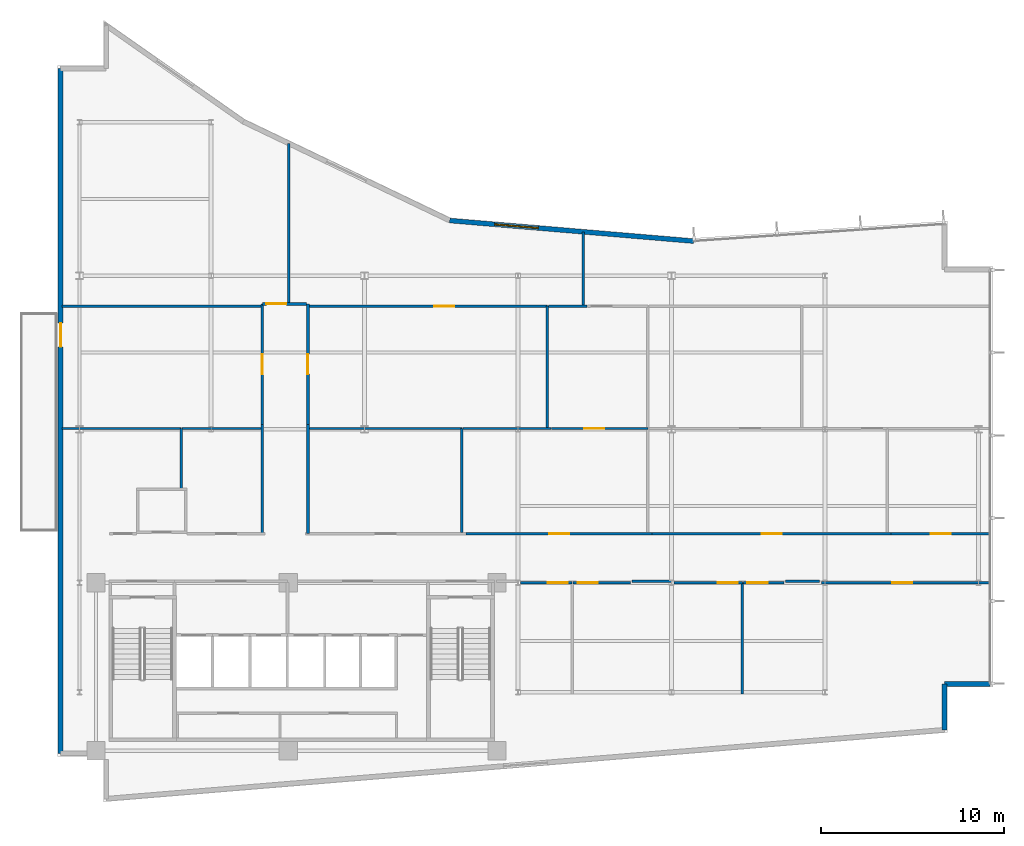
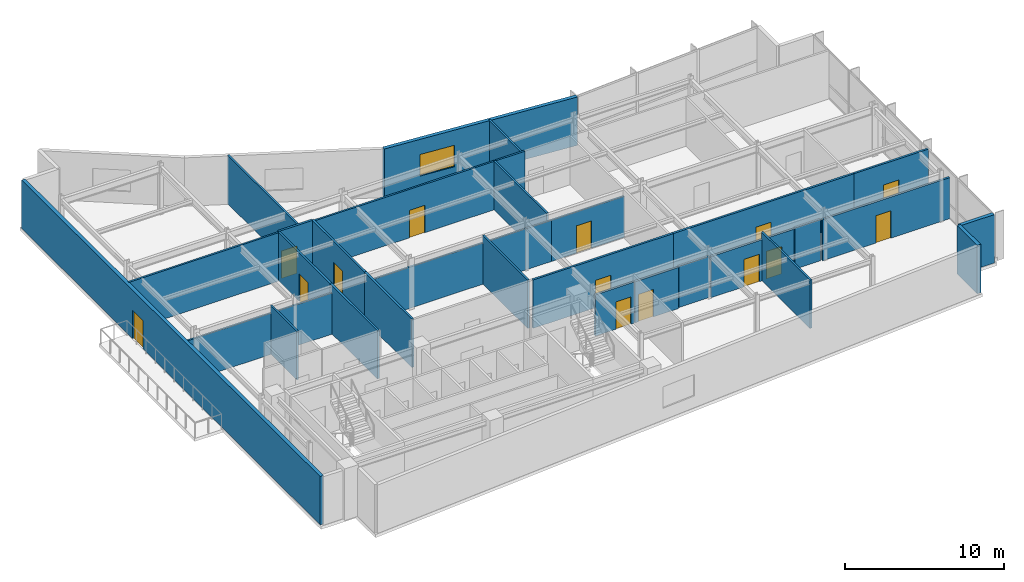
# One storey, part 11 of 15: 33 walls, 14 doors, 1 window, 15 openings.
"""IFC4 building model written with IfcOpenShell, lengths in metres."""

from ifc_helpers import new_model, si_unit, direction, frame, frame_2d, origin, place, context, subcontext, project, spatial, rectangle, extrude, material, layer, layer_set, type_object, element, fill, save


model = new_model("IFC4")

# Units and contexts
model_context = context("Model", 3, precision=1e-05, world=origin(), true_north=direction((0.0, 1.0)))
body_context = subcontext(model_context, "Body", "Model", "MODEL_VIEW")
ifc_project = project(units=[si_unit("LENGTHUNIT", "METRE"), si_unit("AREAUNIT", "SQUARE_METRE"), si_unit("VOLUMEUNIT", "CUBIC_METRE"), si_unit("PLANEANGLEUNIT", "RADIAN"), si_unit("MASSUNIT", "GRAM", prefix="KILO")], contexts=[model_context])

# Site, building, storey
site_placement = place(None, origin())
site = spatial("IfcSite", under=ifc_project, at=site_placement, CompositionType="ELEMENT")
building_placement = place(site_placement, origin())
building = spatial("IfcBuilding", under=site, at=building_placement, Name="Varnakote Quay Hospital", CompositionType="ELEMENT")
storey_placement = place(building_placement, frame((0.0, 0.0, 207.89990234375)))
storey = spatial("IfcBuildingStorey", under=building, at=storey_placement, Name="L51", CompositionType="ELEMENT", Elevation=207.89990234375)

# Walls
ifc_material_1 = material(Name="Fire-rated acoustic gypsum stud wall", Category="gypsum")
ifc_layer_1 = layer(ifc_material_1, 0.159912109375)
ifc_layer_set_1 = layer_set([ifc_layer_1], Name="Fire-rated acoustic gypsum stud wall")
wall_type_1 = type_object("IfcWallType", Name="WL-COMP-160", PredefinedType="PARTITIONING", material=ifc_layer_set_1)
wall_1_placement = place(storey_placement, frame((31.439208984375, 12.080078125, 0.0), z_axis=(0.0, 0.0, 1.0), x_axis=(1.0, 0.0, 0.0)))
element("IfcWall", 1, at=wall_1_placement, inside=storey, type_object=wall_type_1, Name="L51 Corridor South Gap Wall", PredefinedType="PARTITIONING", context=body_context, shape_type="SweptSolid", body=[
    extrude(rectangle(XDim=2.199462890625, YDim=0.159912109375, at=frame_2d((1.099609375, 0.0))), origin(), (0.0, 0.0, 1.0), 3.152099609375),
])
wall_2_placement = place(storey_placement, frame((39.83935546875, 12.080078125, 0.0), z_axis=(0.0, 0.0, 1.0), x_axis=(1.0, 0.0, 0.0)))
element("IfcWall", 2, at=wall_2_placement, inside=storey, type_object=wall_type_1, Name="L51 Corridor South Gap Wall", PredefinedType="PARTITIONING", context=body_context, shape_type="SweptSolid", body=[
    extrude(rectangle(XDim=1.871337890625, YDim=0.159912109375, at=frame_2d((0.935546875, 0.0))), origin(), (0.0, 0.0, 1.0), 3.152099609375),
])
ifc_material_2 = material(Name="Precast concrete N50 (f'c 50 MPa)", Category="concrete")
ifc_layer_2 = layer(ifc_material_2, 0.260009765625)
ifc_layer_set_2 = layer_set([ifc_layer_2], Name="Precast concrete N50 (f'c 50 MPa)")
wall_type_2 = type_object("IfcWallType", Name="WL-EXT-BRICK-260", PredefinedType="STANDARD", material=ifc_layer_set_2)
wall_3_placement = place(storey_placement, frame((48.5400390625, 3.947509765625, 0.0), z_axis=(0.0, 0.0, 1.0), x_axis=(0.0, 1.0, 0.0)))
element("IfcWall", 3, at=wall_3_placement, inside=storey, type_object=wall_type_2, Name="L51 Brick-Faced Precast Exterior Wall", PredefinedType="STANDARD", context=body_context, shape_type="SweptSolid", body=[
    extrude(rectangle(XDim=2.512451171875, YDim=0.260009765625, at=frame_2d((1.25634765625, 0.0))), origin(), (0.0, 0.0, 1.0), 3.710205078125),
])
wall_4_placement = place(storey_placement, frame((48.5400390625, 6.4599609375, 0.0), z_axis=(0.0, 0.0, 1.0), x_axis=(1.0, 0.0, 0.0)))
element("IfcWall", 4, at=wall_4_placement, inside=storey, type_object=wall_type_2, Name="L51 Brick-Faced Precast Exterior Wall", PredefinedType="STANDARD", context=body_context, shape_type="SweptSolid", body=[
    extrude(rectangle(XDim=2.5, YDim=0.260009765625, at=frame_2d((1.25, 0.0))), origin(), (0.0, 0.0, 1.0), 3.710205078125),
])

# Wall, opening, window
wall_5_placement = place(storey_placement, frame((34.814697265625, 30.695556640625, 0.0), z_axis=(0.0, 0.0, 1.0), x_axis=(-0.996454704935, 0.084130975344, 0.0)))
wall_5 = element("IfcWall", 5, at=wall_5_placement, inside=storey, type_object=wall_type_2, Name="L51 Brick-Faced Precast Exterior Wall", PredefinedType="STANDARD", context=body_context, shape_type="SweptSolid", body=[
    extrude(rectangle(XDim=13.401123046875, YDim=0.260009765625, at=frame_2d((6.70068359375, 0.0))), origin(), (0.0, 0.0, 1.0), 3.710205078125),
])
opening_1_placement = place(wall_5_placement, frame((8.53857421875, 0.0, 0.89990234375)))
opening_1 = element("IfcOpeningElement", 6, at=opening_1_placement, cuts=wall_5, Name="Opening WN-0211", PredefinedType="OPENING", context=body_context, shape_type="SweptSolid", body=[
    extrude(rectangle(XDim=2.39990234375, YDim=1.64990234375, at=frame_2d((1.199951171875, 0.824951171875))), frame((0.0, 0.139892578125, 0.0), z_axis=(0.0, -1.0, 0.0), x_axis=(1.0, 0.0, 0.0)), (0.0, 0.0, 1.0), 0.280029296875),
])
ifc_material_3 = material(Name="Double-glazed low-E solar glass", Category="glass")
window_type = type_object("IfcWindowType", Name="WIN-CLIN-2400x1650", PartitioningType="SINGLE_PANEL", PredefinedType="WINDOW", material=ifc_material_3)
window_placement = place(opening_1_placement, origin())
window = element("IfcWindow", 7, at=window_placement, inside=storey, type_object=window_type, Name="L51 Solar-Control Clinical Window", OverallHeight=1.64990234375, OverallWidth=2.39990234375, PartitioningType="SINGLE_PANEL", PredefinedType="WINDOW", context=body_context, shape_type="SweptSolid", body=[
    extrude(rectangle(XDim=2.39990234375, YDim=1.64990234375, at=frame_2d((1.199951171875, 0.824951171875))), frame((0.0, 0.030029296875, 0.0), z_axis=(0.0, -1.0, 0.0), x_axis=(1.0, 0.0, 0.0)), (0.0, 0.0, 1.0), 0.06005859375),
])
fill(opening_1, window)

# Wall, opening, door
wall_6_placement = place(storey_placement, frame((0.159912109375, 40.139892578125, 0.0), z_axis=(0.0, 0.0, 1.0), x_axis=(0.0, -1.0, 0.0)))
wall_6 = element("IfcWall", 8, at=wall_6_placement, inside=storey, type_object=wall_type_2, Name="L51 Healing Terrace Portal Brick Wall", PredefinedType="STANDARD", context=body_context, shape_type="SweptSolid", body=[
    extrude(rectangle(XDim=37.47998046875, YDim=0.260009765625, at=frame_2d((18.739990234375, 0.0))), origin(), (0.0, 0.0, 1.0), 3.710205078125),
])
opening_2_placement = place(wall_6_placement, frame((13.925537109375, 0.0, 0.0)))
opening_2 = element("IfcOpeningElement", 9, at=opening_2_placement, cuts=wall_6, Name="Opening DT-L51", PredefinedType="OPENING", context=body_context, shape_type="SweptSolid", body=[
    extrude(rectangle(XDim=1.300048828125, YDim=2.14990234375, at=frame_2d((0.64990234375, 1.074951171875))), frame((0.0, 0.139892578125, 0.0), z_axis=(0.0, -1.0, 0.0), x_axis=(1.0, 0.0, 0.0)), (0.0, 0.0, 1.0), 0.280029296875),
])
ifc_material_4 = material(Name="Anodised aluminium glazed terrace door", Category="aluminium")
door_type_1 = type_object("IfcDoorType", Name="DR-EXT-TERR-1300x2150", OperationType="NOTDEFINED", PredefinedType="DOOR", material=ifc_material_4)
door_1_placement = place(opening_2_placement, origin())
door_1 = element("IfcDoor", 10, at=door_1_placement, inside=storey, type_object=door_type_1, Name="L51 Waterfront Healing Terrace Door", OperationType="SINGLE_SWING_RIGHT", OverallHeight=2.14990234375, OverallWidth=1.300048828125, PredefinedType="DOOR", context=body_context, shape_type="SweptSolid", body=[
    extrude(rectangle(XDim=1.300048828125, YDim=2.14990234375, at=frame_2d((0.64990234375, 1.074951171875))), frame((0.0, 0.02490234375, 0.0), z_axis=(0.0, -1.0, 0.0), x_axis=(1.0, 0.0, 0.0)), (0.0, 0.0, 1.0), 0.050048828125),
])
fill(opening_2, door_1)

# Walls
ifc_material_5 = material(Name="Smoke-proof clinical partition", Category="gypsum")
ifc_layer_3 = layer(ifc_material_5, 0.135009765625)
ifc_layer_set_3 = layer_set([ifc_layer_3], Name="Smoke-proof clinical partition")
wall_type_3 = type_object("IfcWallType", Name="WL-SMOKE-135", PredefinedType="PARTITIONING", material=ifc_layer_set_3)
wall_7_placement = place(storey_placement, frame((37.47998046875, 5.89990234375, 0.0), z_axis=(0.0, 0.0, 1.0), x_axis=(0.0, 1.0, 0.0)))
element("IfcWall", 11, at=wall_7_placement, inside=storey, type_object=wall_type_3, Name="L51 Clinical Interior Partition", PredefinedType="PARTITIONING", context=body_context, shape_type="SweptSolid", body=[
    extrude(rectangle(XDim=6.10009765625, YDim=0.135009765625, at=frame_2d((3.050048828125, 0.0))), origin(), (0.0, 0.0, 1.0), 3.710205078125),
])
wall_8_placement = place(storey_placement, frame((6.760009765625, 17.139892578125, 0.0), z_axis=(0.0, 0.0, 1.0), x_axis=(0.0, 1.0, 0.0)))
element("IfcWall", 12, at=wall_8_placement, inside=storey, type_object=wall_type_3, Name="L51 Clinical Interior Partition", PredefinedType="PARTITIONING", context=body_context, shape_type="SweptSolid", body=[
    extrude(rectangle(XDim=3.300048828125, YDim=0.135009765625, at=frame_2d((1.64990234375, 0.0))), origin(), (0.0, 0.0, 1.0), 3.710205078125),
])
wall_9_placement = place(storey_placement, frame((6.760009765625, 20.43994140625, 0.0), z_axis=(0.0, 0.0, 1.0), x_axis=(-1.0, 0.0, 0.0)))
element("IfcWall", 13, at=wall_9_placement, inside=storey, type_object=wall_type_3, Name="L51 Clinical Interior Partition", PredefinedType="PARTITIONING", context=body_context, shape_type="SweptSolid", body=[
    extrude(rectangle(XDim=6.52001953125, YDim=0.135009765625, at=frame_2d((3.260009765625, 0.0))), origin(), (0.0, 0.0, 1.0), 3.152099609375),
])
wall_10_placement = place(storey_placement, frame((11.1201171875, 20.43994140625, 0.0), z_axis=(0.0, 0.0, 1.0), x_axis=(-1.0, 0.0, 0.0)))
element("IfcWall", 14, at=wall_10_placement, inside=storey, type_object=wall_type_3, Name="L51 Clinical Interior Partition", PredefinedType="PARTITIONING", context=body_context, shape_type="SweptSolid", body=[
    extrude(rectangle(XDim=4.302734375, YDim=0.135009765625, at=frame_2d((2.1513671875, 0.0))), origin(), (0.0, 0.0, 1.0), 3.152099609375),
])
wall_11_placement = place(storey_placement, frame((22.1298828125, 14.760009765625, 0.0), z_axis=(0.0, 0.0, 1.0), x_axis=(0.0, 1.0, 0.0)))
element("IfcWall", 15, at=wall_11_placement, inside=storey, type_object=wall_type_3, Name="L51 Clinical Interior Partition", PredefinedType="PARTITIONING", context=body_context, shape_type="SweptSolid", body=[
    extrude(rectangle(XDim=5.679931640625, YDim=0.135009765625, at=frame_2d((2.83984375, 0.0))), origin(), (0.0, 0.0, 1.0), 3.710205078125),
])
wall_12_placement = place(storey_placement, frame((22.1298828125, 20.43994140625, 0.0), z_axis=(0.0, 0.0, 1.0), x_axis=(-1.0, 0.0, 0.0)))
element("IfcWall", 16, at=wall_12_placement, inside=storey, type_object=wall_type_3, Name="L51 Clinical Interior Partition", PredefinedType="PARTITIONING", context=body_context, shape_type="SweptSolid", body=[
    extrude(rectangle(XDim=8.349853515625, YDim=0.135009765625, at=frame_2d((4.1748046875, 0.0))), origin(), (0.0, 0.0, 1.0), 3.152099609375),
])
wall_13_placement = place(storey_placement, frame((27.017578125, 20.43994140625, 0.0), z_axis=(0.0, 0.0, 1.0), x_axis=(-1.0, 0.0, 0.0)))
element("IfcWall", 17, at=wall_13_placement, inside=storey, type_object=wall_type_3, Name="L51 Clinical Interior Partition", PredefinedType="PARTITIONING", context=body_context, shape_type="SweptSolid", body=[
    extrude(rectangle(XDim=4.830078125, YDim=0.135009765625, at=frame_2d((2.4150390625, 0.0))), origin(), (0.0, 0.0, 1.0), 3.152099609375),
])

# Wall, opening, door
wall_14_placement = place(storey_placement, frame((32.31005859375, 20.43994140625, 0.0), z_axis=(0.0, 0.0, 1.0), x_axis=(-1.0, 0.0, 0.0)))
wall_14 = element("IfcWall", 18, at=wall_14_placement, inside=storey, type_object=wall_type_3, Name="L51 Clinical Interior Partition", PredefinedType="PARTITIONING", context=body_context, shape_type="SweptSolid", body=[
    extrude(rectangle(XDim=5.29052734375, YDim=0.135009765625, at=frame_2d((2.645263671875, 0.0))), origin(), (0.0, 0.0, 1.0), 3.152099609375),
])
opening_3_placement = place(wall_14_placement, frame((2.37939453125, 0.0, 0.0)))
opening_3 = element("IfcOpeningElement", 19, at=opening_3_placement, cuts=wall_14, Name="Opening D-L51-MD08", PredefinedType="OPENING", context=body_context, shape_type="SweptSolid", body=[
    extrude(rectangle(XDim=1.10009765625, YDim=2.10009765625, at=frame_2d((0.550048828125, 1.050048828125))), frame((0.0, 0.077392578125, 0.0), z_axis=(0.0, -1.0, 0.0), x_axis=(1.0, 0.0, 0.0)), (0.0, 0.0, 1.0), 0.155029296875),
])
ifc_material_6 = material(Name="Acoustic timber clinical consult door", Category="wood")
door_type_2 = type_object("IfcDoorType", Name="DR-CLIN-FD30S-1100x2100", OperationType="NOTDEFINED", PredefinedType="DOOR", material=ifc_material_6)
door_2_placement = place(opening_3_placement, origin())
door_2 = element("IfcDoor", 20, at=door_2_placement, inside=storey, type_object=door_type_2, Name="L51 Oncology Nurse Office Door", OperationType="SINGLE_SWING_RIGHT", OverallHeight=2.10009765625, OverallWidth=1.10009765625, PredefinedType="DOOR", context=body_context, shape_type="SweptSolid", body=[
    extrude(rectangle(XDim=1.10009765625, YDim=2.10009765625, at=frame_2d((0.550048828125, 1.050048828125))), frame((0.0, 0.02490234375, 0.0), z_axis=(0.0, -1.0, 0.0), x_axis=(1.0, 0.0, 0.0)), (0.0, 0.0, 1.0), 0.050048828125),
])
fill(opening_3, door_2)

# Walls
wall_15_placement = place(storey_placement, frame((11.1201171875, 27.139892578125, 0.0), z_axis=(0.0, 0.0, 1.0), x_axis=(-1.0, 0.0, 0.0)))
element("IfcWall", 21, at=wall_15_placement, inside=storey, type_object=wall_type_3, Name="L51 Clinical Interior Partition", PredefinedType="PARTITIONING", context=body_context, shape_type="SweptSolid", body=[
    extrude(rectangle(XDim=10.880126953125, YDim=0.135009765625, at=frame_2d((5.43994140625, 0.0))), origin(), (0.0, 0.0, 1.0), 3.710205078125),
])
wall_16_placement = place(storey_placement, frame((26.81005859375, 20.49755859375, 0.0), z_axis=(0.0, 0.0, 1.0), x_axis=(0.0, 1.0, 0.0)))
element("IfcWall", 22, at=wall_16_placement, inside=storey, type_object=wall_type_3, Name="L51 Clinical Interior Partition", PredefinedType="PARTITIONING", context=body_context, shape_type="SweptSolid", body=[
    extrude(rectangle(XDim=6.642333984375, YDim=0.135009765625, at=frame_2d((3.3212890625, 0.0))), origin(), (0.0, 0.0, 1.0), 3.710205078125),
])

# Wall, opening, door
wall_17_placement = place(storey_placement, frame((26.81005859375, 27.139892578125, 0.0), z_axis=(0.0, 0.0, 1.0), x_axis=(-1.0, 0.0, 0.0)))
wall_17 = element("IfcWall", 23, at=wall_17_placement, inside=storey, type_object=wall_type_3, Name="L51 Clinical Interior Partition", PredefinedType="PARTITIONING", context=body_context, shape_type="SweptSolid", body=[
    extrude(rectangle(XDim=13.030029296875, YDim=0.135009765625, at=frame_2d((6.51513671875, 0.0))), origin(), (0.0, 0.0, 1.0), 3.710205078125),
])
opening_4_placement = place(wall_17_placement, frame((5.10009765625, 0.0, 0.0)))
opening_4 = element("IfcOpeningElement", 24, at=opening_4_placement, cuts=wall_17, Name="Opening D-L51-MD12", PredefinedType="OPENING", context=body_context, shape_type="SweptSolid", body=[
    extrude(rectangle(XDim=1.10009765625, YDim=2.10009765625, at=frame_2d((0.550048828125, 1.050048828125))), frame((0.0, 0.077392578125, 0.0), z_axis=(0.0, -1.0, 0.0), x_axis=(1.0, 0.0, 0.0)), (0.0, 0.0, 1.0), 0.155029296875),
])
door_3_placement = place(opening_4_placement, origin())
door_3 = element("IfcDoor", 25, at=door_3_placement, inside=storey, type_object=door_type_2, Name="L51 Oncology Nurse Office Door", OperationType="SINGLE_SWING_LEFT", OverallHeight=2.10009765625, OverallWidth=1.10009765625, PredefinedType="DOOR", context=body_context, shape_type="SweptSolid", body=[
    extrude(rectangle(XDim=1.10009765625, YDim=2.10009765625, at=frame_2d((0.550048828125, 1.050048828125))), frame((0.0, 0.02490234375, 0.0), z_axis=(0.0, -1.0, 0.0), x_axis=(1.0, 0.0, 0.0)), (0.0, 0.0, 1.0), 0.050048828125),
])
fill(opening_4, door_3)

# Walls
wall_18_placement = place(storey_placement, frame((28.987548828125, 27.139892578125, 0.0), z_axis=(0.0, 0.0, 1.0), x_axis=(-1.0, 0.0, 0.0)))
element("IfcWall", 26, at=wall_18_placement, inside=storey, type_object=wall_type_3, Name="L51 Clinical Interior Partition", PredefinedType="PARTITIONING", context=body_context, shape_type="SweptSolid", body=[
    extrude(rectangle(XDim=2.1201171875, YDim=0.135009765625, at=frame_2d((1.06005859375, 0.0))), origin(), (0.0, 0.0, 1.0), 3.710205078125),
])
wall_19_placement = place(storey_placement, frame((12.64990234375, 27.320068359375, 0.0), z_axis=(0.0, 0.0, 1.0), x_axis=(0.0, 1.0, 0.0)))
element("IfcWall", 27, at=wall_19_placement, inside=storey, type_object=wall_type_3, Name="L51 Clinical Interior Partition", PredefinedType="PARTITIONING", context=body_context, shape_type="SweptSolid", body=[
    extrude(rectangle(XDim=8.72412109375, YDim=0.135009765625, at=frame_2d((4.362060546875, 0.0))), origin(), (0.0, 0.0, 1.0), 3.710205078125),
])
wall_20_placement = place(storey_placement, frame((28.780029296875, 27.197509765625, 0.0), z_axis=(0.0, 0.0, 1.0), x_axis=(0.0, 1.0, 0.0)))
element("IfcWall", 28, at=wall_20_placement, inside=storey, type_object=wall_type_3, Name="L51 Clinical Interior Partition", PredefinedType="PARTITIONING", context=body_context, shape_type="SweptSolid", body=[
    extrude(rectangle(XDim=4.007568359375, YDim=0.135009765625, at=frame_2d((2.00390625, 0.0))), origin(), (0.0, 0.0, 1.0), 3.710205078125),
])

# Wall, opening, door
ifc_material_7 = material(Name="Fire-rated clinical gypsum partition", Category="gypsum")
ifc_layer_4 = layer(ifc_material_7, 0.14990234375)
ifc_layer_set_4 = layer_set([ifc_layer_4], Name="Fire-rated clinical gypsum partition")
wall_type_4 = type_object("IfcWallType", Name="WL-WARD-150", PredefinedType="PARTITIONING", material=ifc_layer_set_4)
wall_21_placement = place(storey_placement, frame((28.159912109375, 12.0, 0.0), z_axis=(0.0, 0.0, 1.0), x_axis=(-1.0, 0.0, 0.0)))
wall_21 = element("IfcWall", 29, at=wall_21_placement, inside=storey, type_object=wall_type_4, Name="L51 Clinical Interior Partition", PredefinedType="PARTITIONING", context=body_context, shape_type="SweptSolid", body=[
    extrude(rectangle(XDim=2.83203125, YDim=0.14990234375, at=frame_2d((1.416015625, 0.0))), origin(), (0.0, 0.0, 1.0), 3.152099609375),
])
opening_5_placement = place(wall_21_placement, frame((0.2333984375, 0.0, 0.0)))
opening_5 = element("IfcOpeningElement", 30, at=opening_5_placement, cuts=wall_21, Name="Opening D-L51-RL1", PredefinedType="OPENING", context=body_context, shape_type="SweptSolid", body=[
    extrude(rectangle(XDim=1.10009765625, YDim=2.10009765625, at=frame_2d((0.550048828125, 1.050048828125))), frame((0.0, 0.0849609375, 0.0), z_axis=(0.0, -1.0, 0.0), x_axis=(1.0, 0.0, 0.0)), (0.0, 0.0, 1.0), 0.169921875),
])
door_4_placement = place(opening_5_placement, origin())
door_4 = element("IfcDoor", 31, at=door_4_placement, inside=storey, type_object=door_type_2, Name="L51 Day Infusion Treatment Suite Door", OperationType="SINGLE_SWING_RIGHT", OverallHeight=2.10009765625, OverallWidth=1.10009765625, PredefinedType="DOOR", context=body_context, shape_type="SweptSolid", body=[
    extrude(rectangle(XDim=1.10009765625, YDim=2.10009765625, at=frame_2d((0.550048828125, 1.050048828125))), frame((0.0, 0.02490234375, 0.0), z_axis=(0.0, -1.0, 0.0), x_axis=(1.0, 0.0, 0.0)), (0.0, 0.0, 1.0), 0.050048828125),
])
fill(opening_5, door_4)

wall_22_placement = place(storey_placement, frame((31.35009765625, 12.0, 0.0), z_axis=(0.0, 0.0, 1.0), x_axis=(-1.0, 0.0, 0.0)))
wall_22 = element("IfcWall", 32, at=wall_22_placement, inside=storey, type_object=wall_type_4, Name="L51 Clinical Interior Partition", PredefinedType="PARTITIONING", context=body_context, shape_type="SweptSolid", body=[
    extrude(rectangle(XDim=3.132568359375, YDim=0.14990234375, at=frame_2d((1.56640625, 0.0))), origin(), (0.0, 0.0, 1.0), 3.152099609375),
])
opening_6_placement = place(wall_22_placement, frame((1.791748046875, 0.0, 0.0)))
opening_6 = element("IfcOpeningElement", 33, at=opening_6_placement, cuts=wall_22, Name="Opening D-L51-RL2", PredefinedType="OPENING", context=body_context, shape_type="SweptSolid", body=[
    extrude(rectangle(XDim=1.10009765625, YDim=2.10009765625, at=frame_2d((0.550048828125, 1.050048828125))), frame((0.0, 0.0849609375, 0.0), z_axis=(0.0, -1.0, 0.0), x_axis=(1.0, 0.0, 0.0)), (0.0, 0.0, 1.0), 0.169921875),
])
door_5_placement = place(opening_6_placement, origin())
door_5 = element("IfcDoor", 34, at=door_5_placement, inside=storey, type_object=door_type_2, Name="L51 Telemedicine Consult Office Door", OperationType="SINGLE_SWING_LEFT", OverallHeight=2.10009765625, OverallWidth=1.10009765625, PredefinedType="DOOR", context=body_context, shape_type="SweptSolid", body=[
    extrude(rectangle(XDim=1.10009765625, YDim=2.10009765625, at=frame_2d((0.550048828125, 1.050048828125))), frame((0.0, 0.02490234375, 0.0), z_axis=(0.0, -1.0, 0.0), x_axis=(1.0, 0.0, 0.0)), (0.0, 0.0, 1.0), 0.050048828125),
])
fill(opening_6, door_5)

wall_23_placement = place(storey_placement, frame((37.47998046875, 12.0, 0.0), z_axis=(0.0, 0.0, 1.0), x_axis=(-1.0, 0.0, 0.0)))
wall_23 = element("IfcWall", 35, at=wall_23_placement, inside=storey, type_object=wall_type_4, Name="L51 Clinical Interior Partition", PredefinedType="PARTITIONING", context=body_context, shape_type="SweptSolid", body=[
    extrude(rectangle(XDim=3.751953125, YDim=0.14990234375, at=frame_2d((1.8759765625, 0.0))), origin(), (0.0, 0.0, 1.0), 3.152099609375),
])
opening_7_placement = place(wall_23_placement, frame((0.25634765625, 0.0, 0.0)))
opening_7 = element("IfcOpeningElement", 36, at=opening_7_placement, cuts=wall_23, Name="Opening D-L51-RM1", PredefinedType="OPENING", context=body_context, shape_type="SweptSolid", body=[
    extrude(rectangle(XDim=1.10009765625, YDim=2.10009765625, at=frame_2d((0.550048828125, 1.050048828125))), frame((0.0, 0.0849609375, 0.0), z_axis=(0.0, -1.0, 0.0), x_axis=(1.0, 0.0, 0.0)), (0.0, 0.0, 1.0), 0.169921875),
])
door_6_placement = place(opening_7_placement, origin())
door_6 = element("IfcDoor", 37, at=door_6_placement, inside=storey, type_object=door_type_2, Name="L51 Cardiac Telemetry Treatment Suite Door", OperationType="SINGLE_SWING_RIGHT", OverallHeight=2.10009765625, OverallWidth=1.10009765625, PredefinedType="DOOR", context=body_context, shape_type="SweptSolid", body=[
    extrude(rectangle(XDim=1.10009765625, YDim=2.10009765625, at=frame_2d((0.550048828125, 1.050048828125))), frame((0.0, 0.02490234375, 0.0), z_axis=(0.0, -1.0, 0.0), x_axis=(1.0, 0.0, 0.0)), (0.0, 0.0, 1.0), 0.050048828125),
])
fill(opening_7, door_6)

wall_24_placement = place(storey_placement, frame((39.75, 12.0, 0.0), z_axis=(0.0, 0.0, 1.0), x_axis=(-1.0, 0.0, 0.0)))
wall_24 = element("IfcWall", 38, at=wall_24_placement, inside=storey, type_object=wall_type_4, Name="L51 Clinical Interior Partition", PredefinedType="PARTITIONING", context=body_context, shape_type="SweptSolid", body=[
    extrude(rectangle(XDim=2.21240234375, YDim=0.14990234375, at=frame_2d((1.106201171875, 0.0))), origin(), (0.0, 0.0, 1.0), 3.152099609375),
])
opening_8_placement = place(wall_24_placement, frame((0.894775390625, 0.0, 0.0)))
opening_8 = element("IfcOpeningElement", 39, at=opening_8_placement, cuts=wall_24, Name="Opening D-L51-RM2", PredefinedType="OPENING", context=body_context, shape_type="SweptSolid", body=[
    extrude(rectangle(XDim=1.10009765625, YDim=2.10009765625, at=frame_2d((0.550048828125, 1.050048828125))), frame((0.0, 0.0849609375, 0.0), z_axis=(0.0, -1.0, 0.0), x_axis=(1.0, 0.0, 0.0)), (0.0, 0.0, 1.0), 0.169921875),
])
door_7_placement = place(opening_8_placement, origin())
door_7 = element("IfcDoor", 40, at=door_7_placement, inside=storey, type_object=door_type_2, Name="L51 Vascular Diagnostics Office Door", OperationType="SINGLE_SWING_LEFT", OverallHeight=2.10009765625, OverallWidth=1.10009765625, PredefinedType="DOOR", context=body_context, shape_type="SweptSolid", body=[
    extrude(rectangle(XDim=1.10009765625, YDim=2.10009765625, at=frame_2d((0.550048828125, 1.050048828125))), frame((0.0, 0.02490234375, 0.0), z_axis=(0.0, -1.0, 0.0), x_axis=(1.0, 0.0, 0.0)), (0.0, 0.0, 1.0), 0.050048828125),
])
fill(opening_8, door_7)

wall_25_placement = place(storey_placement, frame((51.0400390625, 12.0, 0.0), z_axis=(0.0, 0.0, 1.0), x_axis=(-1.0, 0.0, 0.0)))
wall_25 = element("IfcWall", 41, at=wall_25_placement, inside=storey, type_object=wall_type_4, Name="L51 Clinical Interior Partition", PredefinedType="PARTITIONING", context=body_context, shape_type="SweptSolid", body=[
    extrude(rectangle(XDim=9.239990234375, YDim=0.14990234375, at=frame_2d((4.6201171875, 0.0))), origin(), (0.0, 0.0, 1.0), 3.152099609375),
])
opening_9_placement = place(wall_25_placement, frame((4.263427734375, 0.0, 0.0)))
opening_9 = element("IfcOpeningElement", 42, at=opening_9_placement, cuts=wall_25, Name="Opening D-L51-SE1", PredefinedType="OPENING", context=body_context, shape_type="SweptSolid", body=[
    extrude(rectangle(XDim=1.10009765625, YDim=2.10009765625, at=frame_2d((0.550048828125, 1.050048828125))), frame((0.0, 0.0849609375, 0.0), z_axis=(0.0, -1.0, 0.0), x_axis=(1.0, 0.0, 0.0)), (0.0, 0.0, 1.0), 0.169921875),
])
door_8_placement = place(opening_9_placement, origin())
door_8 = element("IfcDoor", 43, at=door_8_placement, inside=storey, type_object=door_type_2, Name="L51 Clinical Biomedical Engineering Office Door", OperationType="SINGLE_SWING_RIGHT", OverallHeight=2.10009765625, OverallWidth=1.10009765625, PredefinedType="DOOR", context=body_context, shape_type="SweptSolid", body=[
    extrude(rectangle(XDim=1.10009765625, YDim=2.10009765625, at=frame_2d((0.550048828125, 1.050048828125))), frame((0.0, 0.02490234375, 0.0), z_axis=(0.0, -1.0, 0.0), x_axis=(1.0, 0.0, 0.0)), (0.0, 0.0, 1.0), 0.050048828125),
])
fill(opening_9, door_8)

wall_26_placement = place(storey_placement, frame((32.535888671875, 14.679931640625, 0.0), z_axis=(0.0, 0.0, 1.0), x_axis=(-1.0, 0.0, 0.0)))
wall_26 = element("IfcWall", 44, at=wall_26_placement, inside=storey, type_object=wall_type_4, Name="L51 Clinical Interior Partition", PredefinedType="PARTITIONING", context=body_context, shape_type="SweptSolid", body=[
    extrude(rectangle(XDim=10.177978515625, YDim=0.14990234375, at=frame_2d((5.0888671875, 0.0))), origin(), (0.0, 0.0, 1.0), 3.710205078125),
])
opening_10_placement = place(wall_26_placement, frame((4.5390625, 0.0, 0.0)))
opening_10 = element("IfcOpeningElement", 45, at=opening_10_placement, cuts=wall_26, Name="Opening D-L51-MD04", PredefinedType="OPENING", context=body_context, shape_type="SweptSolid", body=[
    extrude(rectangle(XDim=1.10009765625, YDim=2.10009765625, at=frame_2d((0.550048828125, 1.050048828125))), frame((0.0, 0.0849609375, 0.0), z_axis=(0.0, -1.0, 0.0), x_axis=(1.0, 0.0, 0.0)), (0.0, 0.0, 1.0), 0.169921875),
])
door_9_placement = place(opening_10_placement, origin())
door_9 = element("IfcDoor", 46, at=door_9_placement, inside=storey, type_object=door_type_2, Name="L51 Oncology Nurse Office Door", OperationType="SINGLE_SWING_RIGHT", OverallHeight=2.10009765625, OverallWidth=1.10009765625, PredefinedType="DOOR", context=body_context, shape_type="SweptSolid", body=[
    extrude(rectangle(XDim=1.10009765625, YDim=2.10009765625, at=frame_2d((0.550048828125, 1.050048828125))), frame((0.0, 0.02490234375, 0.0), z_axis=(0.0, -1.0, 0.0), x_axis=(1.0, 0.0, 0.0)), (0.0, 0.0, 1.0), 0.050048828125),
])
fill(opening_10, door_9)

wall_27_placement = place(storey_placement, frame((45.6259765625, 14.679931640625, 0.0), z_axis=(0.0, 0.0, 1.0), x_axis=(-1.0, 0.0, 0.0)))
wall_27 = element("IfcWall", 47, at=wall_27_placement, inside=storey, type_object=wall_type_4, Name="L51 Clinical Interior Partition", PredefinedType="PARTITIONING", context=body_context, shape_type="SweptSolid", body=[
    extrude(rectangle(XDim=13.087890625, YDim=0.14990234375, at=frame_2d((6.5439453125, 0.0))), origin(), (0.0, 0.0, 1.0), 3.710205078125),
])
opening_11_placement = place(wall_27_placement, frame((5.993896484375, 0.0, 0.0)))
opening_11 = element("IfcOpeningElement", 48, at=opening_11_placement, cuts=wall_27, Name="Opening D-L51-MD05", PredefinedType="OPENING", context=body_context, shape_type="SweptSolid", body=[
    extrude(rectangle(XDim=1.10009765625, YDim=2.10009765625, at=frame_2d((0.550048828125, 1.050048828125))), frame((0.0, 0.0849609375, 0.0), z_axis=(0.0, -1.0, 0.0), x_axis=(1.0, 0.0, 0.0)), (0.0, 0.0, 1.0), 0.169921875),
])
door_10_placement = place(opening_11_placement, origin())
door_10 = element("IfcDoor", 49, at=door_10_placement, inside=storey, type_object=door_type_2, Name="L51 Day Procedure Treatment Suite Door", OperationType="SINGLE_SWING_LEFT", OverallHeight=2.10009765625, OverallWidth=1.10009765625, PredefinedType="DOOR", context=body_context, shape_type="SweptSolid", body=[
    extrude(rectangle(XDim=1.10009765625, YDim=2.10009765625, at=frame_2d((0.550048828125, 1.050048828125))), frame((0.0, 0.02490234375, 0.0), z_axis=(0.0, -1.0, 0.0), x_axis=(1.0, 0.0, 0.0)), (0.0, 0.0, 1.0), 0.050048828125),
])
fill(opening_11, door_10)

wall_28_placement = place(storey_placement, frame((51.0400390625, 14.679931640625, 0.0), z_axis=(0.0, 0.0, 1.0), x_axis=(-1.0, 0.0, 0.0)))
wall_28 = element("IfcWall", 50, at=wall_28_placement, inside=storey, type_object=wall_type_4, Name="L51 Clinical Interior Partition", PredefinedType="PARTITIONING", context=body_context, shape_type="SweptSolid", body=[
    extrude(rectangle(XDim=5.412109375, YDim=0.14990234375, at=frame_2d((2.7060546875, 0.0))), origin(), (0.0, 0.0, 1.0), 3.710205078125),
])
opening_12_placement = place(wall_28_placement, frame((2.156005859375, 0.0, 0.0)))
opening_12 = element("IfcOpeningElement", 51, at=opening_12_placement, cuts=wall_28, Name="Opening D-L51-MD06", PredefinedType="OPENING", context=body_context, shape_type="SweptSolid", body=[
    extrude(rectangle(XDim=1.10009765625, YDim=2.10009765625, at=frame_2d((0.550048828125, 1.050048828125))), frame((0.0, 0.0849609375, 0.0), z_axis=(0.0, -1.0, 0.0), x_axis=(1.0, 0.0, 0.0)), (0.0, 0.0, 1.0), 0.169921875),
])
door_11_placement = place(opening_12_placement, origin())
door_11 = element("IfcDoor", 52, at=door_11_placement, inside=storey, type_object=door_type_2, Name="L51 Oncology Infusion Treatment Suite Door", OperationType="SINGLE_SWING_RIGHT", OverallHeight=2.10009765625, OverallWidth=1.10009765625, PredefinedType="DOOR", context=body_context, shape_type="SweptSolid", body=[
    extrude(rectangle(XDim=1.10009765625, YDim=2.10009765625, at=frame_2d((0.550048828125, 1.050048828125))), frame((0.0, 0.02490234375, 0.0), z_axis=(0.0, -1.0, 0.0), x_axis=(1.0, 0.0, 0.0)), (0.0, 0.0, 1.0), 0.050048828125),
])
fill(opening_12, door_11)

# Walls
for number, where, z_axis, x_axis, name in (
    (53, (11.199951171875, 20.666015625, 0.0), (0.0, 0.0, 1.0), (0.0, -1.0, 0.0), "L51 Clinical Interior Partition"),
    (54, (13.699951171875, 14.699951171875, 0.0), (0.0, 0.0, 1.0), (0.0, 1.0, 0.0), "L51 Clinical Interior Partition"),
):
    element("IfcWall", number, at=place(storey_placement, frame(where, z_axis=z_axis, x_axis=x_axis)), inside=storey, type_object=wall_type_4, Name=name, PredefinedType="PARTITIONING", context=body_context, shape_type="SweptSolid", body=[
        extrude(rectangle(XDim=5.966064453125, YDim=0.14990234375, at=frame_2d((2.98291015625, 0.0))), origin(), (0.0, 0.0, 1.0), 3.710205078125),
    ])

# Wall, opening, door
wall_29_placement = place(storey_placement, frame((11.199951171875, 27.260009765625, 0.0), z_axis=(0.0, 0.0, 1.0), x_axis=(0.0, -1.0, 0.0)))
wall_29 = element("IfcWall", 55, at=wall_29_placement, inside=storey, type_object=wall_type_4, Name="L51 Clinical Interior Partition", PredefinedType="PARTITIONING", context=body_context, shape_type="SweptSolid", body=[
    extrude(rectangle(XDim=6.592041015625, YDim=0.14990234375, at=frame_2d((3.2958984375, 0.0))), origin(), (0.0, 0.0, 1.0), 3.710205078125),
])
opening_13_placement = place(wall_29_placement, frame((2.74609375, 0.0, 0.0)))
opening_13 = element("IfcOpeningElement", 56, at=opening_13_placement, cuts=wall_29, Name="Opening D-L51-DLNG", PredefinedType="OPENING", context=body_context, shape_type="SweptSolid", body=[
    extrude(rectangle(XDim=1.10009765625, YDim=2.10009765625, at=frame_2d((0.550048828125, 1.050048828125))), frame((0.0, 0.0849609375, 0.0), z_axis=(0.0, -1.0, 0.0), x_axis=(1.0, 0.0, 0.0)), (0.0, 0.0, 1.0), 0.169921875),
])
door_12_placement = place(opening_13_placement, origin())
door_12 = element("IfcDoor", 57, at=door_12_placement, inside=storey, type_object=door_type_2, Name="L51 Waterfront Patient & Family Dayroom Door", OperationType="SINGLE_SWING_LEFT", OverallHeight=2.10009765625, OverallWidth=1.10009765625, PredefinedType="DOOR", context=body_context, shape_type="SweptSolid", body=[
    extrude(rectangle(XDim=1.10009765625, YDim=2.10009765625, at=frame_2d((0.550048828125, 1.050048828125))), frame((0.0, 0.02490234375, 0.0), z_axis=(0.0, -1.0, 0.0), x_axis=(1.0, 0.0, 0.0)), (0.0, 0.0, 1.0), 0.050048828125),
])
fill(opening_13, door_12)

wall_30_placement = place(storey_placement, frame((13.699951171875, 20.66796875, 0.0), z_axis=(0.0, 0.0, 1.0), x_axis=(0.0, 1.0, 0.0)))
wall_30 = element("IfcWall", 58, at=wall_30_placement, inside=storey, type_object=wall_type_4, Name="L51 Clinical Interior Partition", PredefinedType="PARTITIONING", context=body_context, shape_type="SweptSolid", body=[
    extrude(rectangle(XDim=6.592041015625, YDim=0.14990234375, at=frame_2d((3.2958984375, 0.0))), origin(), (0.0, 0.0, 1.0), 3.710205078125),
])
opening_14_placement = place(wall_30_placement, frame((2.74609375, 0.0, 0.0)))
opening_14 = element("IfcOpeningElement", 59, at=opening_14_placement, cuts=wall_30, Name="Opening D-L51-MD07", PredefinedType="OPENING", context=body_context, shape_type="SweptSolid", body=[
    extrude(rectangle(XDim=1.10009765625, YDim=2.10009765625, at=frame_2d((0.550048828125, 1.050048828125))), frame((0.0, 0.0849609375, 0.0), z_axis=(0.0, -1.0, 0.0), x_axis=(1.0, 0.0, 0.0)), (0.0, 0.0, 1.0), 0.169921875),
])
door_13_placement = place(opening_14_placement, origin())
door_13 = element("IfcDoor", 60, at=door_13_placement, inside=storey, type_object=door_type_2, Name="L51 Ward Clean Medication Pantry Door", OperationType="SINGLE_SWING_RIGHT", OverallHeight=2.10009765625, OverallWidth=1.10009765625, PredefinedType="DOOR", context=body_context, shape_type="SweptSolid", body=[
    extrude(rectangle(XDim=1.10009765625, YDim=2.10009765625, at=frame_2d((0.550048828125, 1.050048828125))), frame((0.0, 0.02490234375, 0.0), z_axis=(0.0, -1.0, 0.0), x_axis=(1.0, 0.0, 0.0)), (0.0, 0.0, 1.0), 0.050048828125),
])
fill(opening_14, door_13)

wall_31_placement = place(storey_placement, frame((13.635009765625, 27.260009765625, 0.0), z_axis=(0.0, 0.0, 1.0), x_axis=(-1.0, 0.0, 0.0)))
wall_31 = element("IfcWall", 61, at=wall_31_placement, inside=storey, type_object=wall_type_4, Name="L51 Clinical Interior Partition", PredefinedType="PARTITIONING", context=body_context, shape_type="SweptSolid", body=[
    extrude(rectangle(XDim=2.43505859375, YDim=0.14990234375, at=frame_2d((1.217529296875, 0.0))), origin(), (0.0, 0.0, 1.0), 3.710205078125),
])
opening_15_placement = place(wall_31_placement, frame((1.111572265625, 0.0, 0.0)))
opening_15 = element("IfcOpeningElement", 62, at=opening_15_placement, cuts=wall_31, Name="Opening D-L51-MD11", PredefinedType="OPENING", context=body_context, shape_type="SweptSolid", body=[
    extrude(rectangle(XDim=1.10009765625, YDim=2.10009765625, at=frame_2d((0.550048828125, 1.050048828125))), frame((0.0, 0.0849609375, 0.0), z_axis=(0.0, -1.0, 0.0), x_axis=(1.0, 0.0, 0.0)), (0.0, 0.0, 1.0), 0.169921875),
])
door_14_placement = place(opening_15_placement, origin())
door_14 = element("IfcDoor", 63, at=door_14_placement, inside=storey, type_object=door_type_2, Name="L51 Ward Clean Medication Pantry Door", OperationType="SINGLE_SWING_LEFT", OverallHeight=2.10009765625, OverallWidth=1.10009765625, PredefinedType="DOOR", context=body_context, shape_type="SweptSolid", body=[
    extrude(rectangle(XDim=1.10009765625, YDim=2.10009765625, at=frame_2d((0.550048828125, 1.050048828125))), frame((0.0, 0.02490234375, 0.0), z_axis=(0.0, -1.0, 0.0), x_axis=(1.0, 0.0, 0.0)), (0.0, 0.0, 1.0), 0.050048828125),
])
fill(opening_15, door_14)

save(model, "model.ifc")
